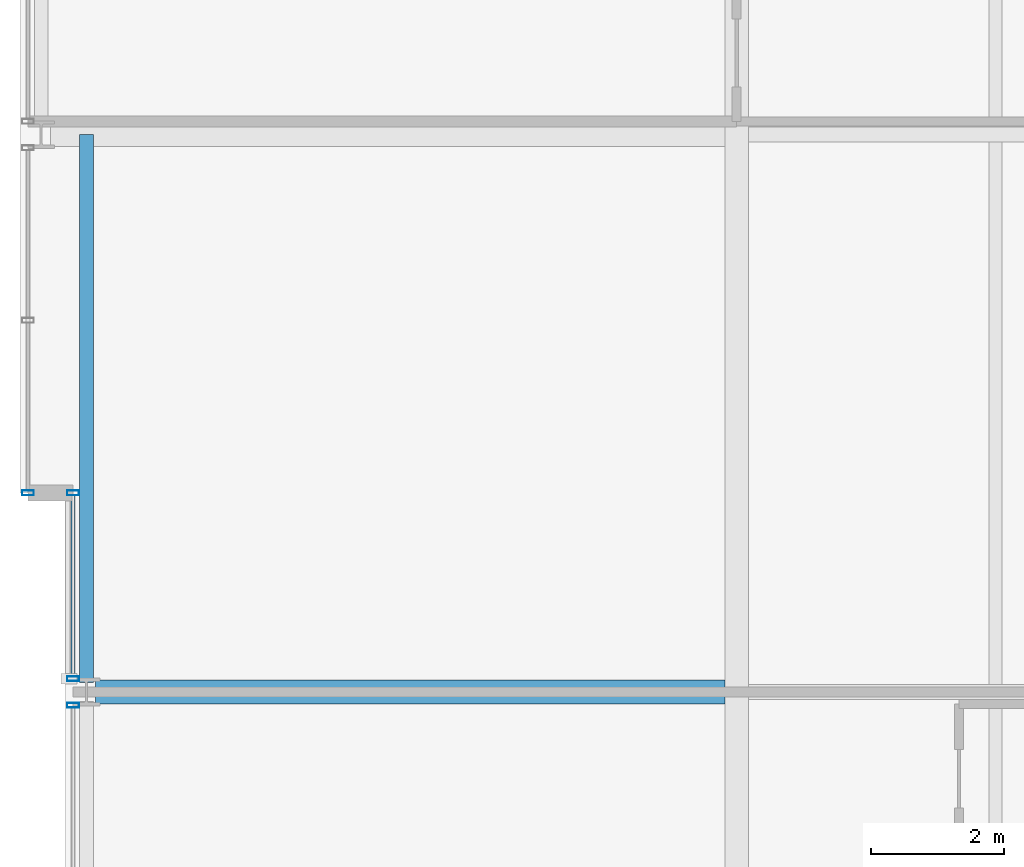
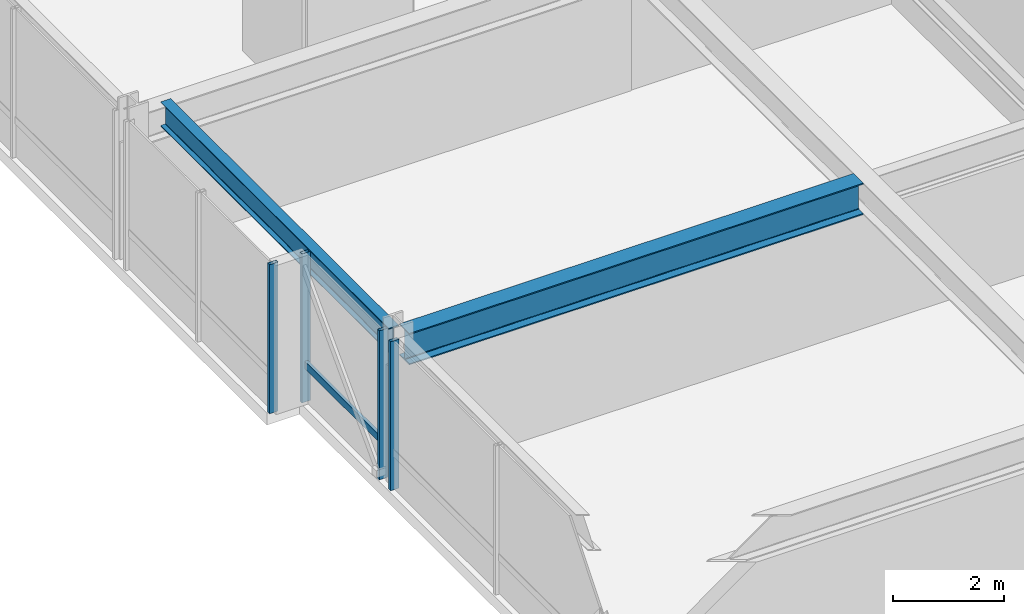
# One storey, part 9 of 33: 5 members, 2 beams, 3 elements without a shape of their own.
"""IFC4 building model written with IfcOpenShell, lengths in metres."""

from ifc_helpers import new_model, si_unit, direction, frame, origin, origin_2d, place, context, subcontext, project, spatial, hollow_rectangle, i_section, extrude, material, layer, layer_set, material_profile, profile_set, type_object, element, aggregate, save


model = new_model("IFC4")

# Units and contexts
model_context = context("Model", 3, precision=1e-05, world=origin(), true_north=direction((0.0, 1.0)))
body_context = subcontext(model_context, "Body", "Model", "MODEL_VIEW")
ifc_project = project(units=[si_unit("LENGTHUNIT", "METRE"), si_unit("AREAUNIT", "SQUARE_METRE"), si_unit("VOLUMEUNIT", "CUBIC_METRE"), si_unit("PLANEANGLEUNIT", "RADIAN"), si_unit("MASSUNIT", "GRAM", prefix="KILO")], contexts=[model_context])

# Site, building, storey
site_placement = place(None, origin())
site = spatial("IfcSite", under=ifc_project, at=site_placement, CompositionType="ELEMENT")
building_placement = place(site_placement, origin())
building = spatial("IfcBuilding", under=site, at=building_placement, Name="Drelvath Grand Hotel", CompositionType="ELEMENT")
storey_placement = place(building_placement, frame((0.0, 0.0, 161.050048828125)))
storey = spatial("IfcBuildingStorey", under=building, at=storey_placement, Name="L41", CompositionType="ELEMENT", Elevation=161.050048828125)

# Curtain wall, member
ifc_material_1 = material(Name="Brushed Pale-Silver Anodised Aluminium Frame", Category="aluminium")
ifc_layer = layer(ifc_material_1, 0.199951171875)
ifc_layer_set = layer_set([ifc_layer], Name="Brushed Pale-Silver Anodised Aluminium Frame")
curtain_wall_type = type_object("IfcCurtainWallType", Name="Stick Curtain Wall CW-04 Brushed Silver Upper-Mid", PredefinedType="NOTDEFINED", material=ifc_layer_set)
curtain_wall_1_placement = place(storey_placement, origin())
curtain_wall_1 = element("IfcCurtainWall", 1, at=curtain_wall_1_placement, inside=storey, type_object=curtain_wall_type, Name="L41 CW-04 Curtain Wall CW04-L41-WM2", PredefinedType="NOTDEFINED")
ifc_material_profile_1 = material_profile(ifc_material_1, hollow_rectangle(XDim=0.06494140625, YDim=0.159912109375, WallThickness=0.00390625, at=origin_2d()), Name="HSS160X65X4")
ifc_profile_set_1 = profile_set([ifc_material_profile_1], Name="Brushed Pale-Silver Anodised Aluminium Frame")
member_type_1 = type_object("IfcMemberType", Name="Curtain Wall Horizontal Transom CW-04 HSS160X65X4", PredefinedType="USERDEFINED", material=ifc_profile_set_1)
member_1_placement = place(storey_placement, frame((-26.199951171875, 27.239990234375, 0.822509765625), z_axis=(0.0, 1.0, 0.0), x_axis=(-1.0, 0.0, 0.0)))
member_1 = element("IfcMember", 2, at=member_1_placement, type_object=member_type_1, Name="CW04-L41-WM2 Sill Transom", ObjectType="TRANSOM", PredefinedType="USERDEFINED", context=body_context, shape_type="SweptSolid", body=[
    extrude(hollow_rectangle(XDim=0.06494140625, YDim=0.159912109375, WallThickness=0.00390625, at=origin_2d()), origin(), (0.0, 0.0, 1.0), 2.719970703125),
])

curtain_wall_2_placement = place(storey_placement, origin())
curtain_wall_2 = element("IfcCurtainWall", 3, at=curtain_wall_2_placement, inside=storey, type_object=curtain_wall_type, Name="L41 CW-04 Curtain Wall CW04-L41-WM1", PredefinedType="NOTDEFINED")
ifc_material_profile_2 = material_profile(ifc_material_1, hollow_rectangle(XDim=0.074951171875, YDim=0.179931640625, WallThickness=0.0048828125, at=origin_2d()), Name="HSS180X75X5")
ifc_profile_set_2 = profile_set([ifc_material_profile_2], Name="Brushed Pale-Silver Anodised Aluminium Frame")
member_type_2 = type_object("IfcMemberType", Name="Curtain Wall Vertical Mullion CW-04 HSS180X75X5", PredefinedType="MULLION", material=ifc_profile_set_2)
member_2_placement = place(storey_placement, frame((-26.199951171875, 26.7998046875, 0.0), z_axis=(0.0, 0.0, 1.0), x_axis=(0.0, 1.0, 0.0)))
member_2 = element("IfcMember", 4, at=member_2_placement, type_object=member_type_2, Name="CW04-L41-WM1 Mullion 3", PredefinedType="MULLION", context=body_context, shape_type="SweptSolid", body=[
    extrude(hollow_rectangle(XDim=0.074951171875, YDim=0.179931640625, WallThickness=0.0048828125, at=origin_2d()), origin(), (0.0, 0.0, 1.0), 3.2900390625),
])
aggregate(curtain_wall_2, [member_2])

# Member
member_3_placement = place(storey_placement, frame((-26.199951171875, 27.2001953125, 0.0), z_axis=(0.0, 0.0, 1.0), x_axis=(0.0, 1.0, 0.0)))
member_3 = element("IfcMember", 5, at=member_3_placement, type_object=member_type_2, Name="CW04-L41-WM2 Mullion 1", PredefinedType="MULLION", context=body_context, shape_type="SweptSolid", body=[
    extrude(hollow_rectangle(XDim=0.074951171875, YDim=0.179931640625, WallThickness=0.0048828125, at=origin_2d()), origin(), (0.0, 0.0, 1.0), 3.2900390625),
])

member_4_placement = place(storey_placement, frame((-26.199951171875, 30.0, 0.0), z_axis=(0.0, 0.0, 1.0), x_axis=(0.0, 1.0, 0.0)))
member_4 = element("IfcMember", 6, at=member_4_placement, type_object=member_type_2, Name="CW04-L41-WM2 Mullion 2", PredefinedType="MULLION", context=body_context, shape_type="SweptSolid", body=[
    extrude(hollow_rectangle(XDim=0.074951171875, YDim=0.179931640625, WallThickness=0.0048828125, at=origin_2d()), origin(), (0.0, 0.0, 1.0), 3.2900390625),
])

aggregate(curtain_wall_1, [member_3, member_4, member_1])

# Curtain wall, member
curtain_wall_3_placement = place(storey_placement, origin())
curtain_wall_3 = element("IfcCurtainWall", 7, at=curtain_wall_3_placement, inside=storey, type_object=curtain_wall_type, Name="L41 CW-04 Curtain Wall CW04-L41-WN1", PredefinedType="NOTDEFINED")
member_5_placement = place(storey_placement, frame((-26.8798828125, 30.0, 0.0), z_axis=(0.0, 0.0, 1.0), x_axis=(0.0, 1.0, 0.0)))
member_5 = element("IfcMember", 8, at=member_5_placement, type_object=member_type_2, Name="CW04-L41-WN1 Mullion 1", PredefinedType="MULLION", context=body_context, shape_type="SweptSolid", body=[
    extrude(hollow_rectangle(XDim=0.074951171875, YDim=0.179931640625, WallThickness=0.0048828125, at=origin_2d()), origin(), (0.0, 0.0, 1.0), 3.2900390625),
])
aggregate(curtain_wall_3, [member_5])

# Beams
ifc_material_2 = material(Name="Steel ASTM A992 Gr 50", Category="steel")
ifc_material_profile_3 = material_profile(ifc_material_2, i_section(OverallWidth=0.210205078125, OverallDepth=0.53662109375, WebThickness=0.010986328125, FlangeThickness=0.017333984375, FilletRadius=0.01806640625, at=origin_2d()), Name="W21X68")
ifc_profile_set_3 = profile_set([ifc_material_profile_3], Name="Steel ASTM A992 Gr 50")
beam_type_1 = type_object("IfcBeamType", Name="Perimeter Spandrel Beam W21X68", PredefinedType="SPANDREL", material=ifc_profile_set_3)
beam_1_placement = place(storey_placement, frame((-26.0, 27.139892578125, 3.021728515625), z_axis=(0.0, 1.0, 0.0), x_axis=(-1.0, 0.0, 0.0)))
element("IfcBeam", 9, at=beam_1_placement, inside=storey, type_object=beam_type_1, Name="L41 Spandrel West Mid N", PredefinedType="SPANDREL", context=body_context, shape_type="SweptSolid", body=[
    extrude(i_section(OverallWidth=0.210205078125, OverallDepth=0.53662109375, WebThickness=0.010986328125, FlangeThickness=0.017333984375, FilletRadius=0.01806640625, at=origin_2d()), origin(), (0.0, 0.0, 1.0), 8.260009765625),
])
ifc_material_profile_4 = material_profile(ifc_material_2, i_section(OverallWidth=0.354736328125, OverallDepth=0.695556640625, WebThickness=0.015380859375, FlangeThickness=0.025146484375, FilletRadius=0.02392578125, at=origin_2d()), Name="W27X146")
ifc_profile_set_4 = profile_set([ifc_material_profile_4], Name="Steel ASTM A992 Gr 50")
beam_type_2 = type_object("IfcBeamType", Name="Primary Floor Girder W27X146", PredefinedType="BEAM", material=ifc_profile_set_4)
beam_2_placement = place(storey_placement, frame((-25.860107421875, 27.0, 2.942138671875), z_axis=(1.0, 0.0, 0.0), x_axis=(0.0, 1.0, 0.0)))
element("IfcBeam", 10, at=beam_2_placement, inside=storey, type_object=beam_type_2, Name="L41 West Wing Girder E", PredefinedType="BEAM", context=body_context, shape_type="SweptSolid", body=[
    extrude(i_section(OverallWidth=0.354736328125, OverallDepth=0.695556640625, WebThickness=0.015380859375, FlangeThickness=0.025146484375, FilletRadius=0.02392578125, at=origin_2d()), origin(), (0.0, 0.0, 1.0), 9.482666015625),
])

save(model, "model.ifc")
